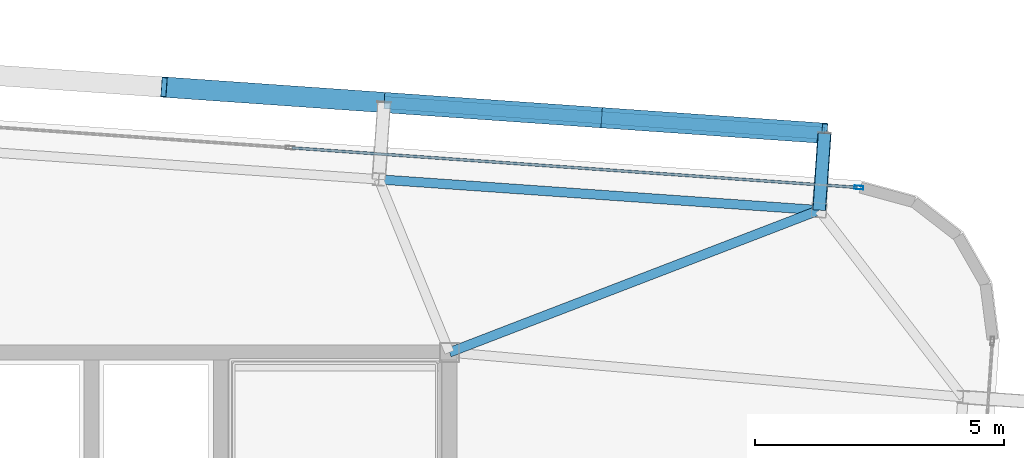
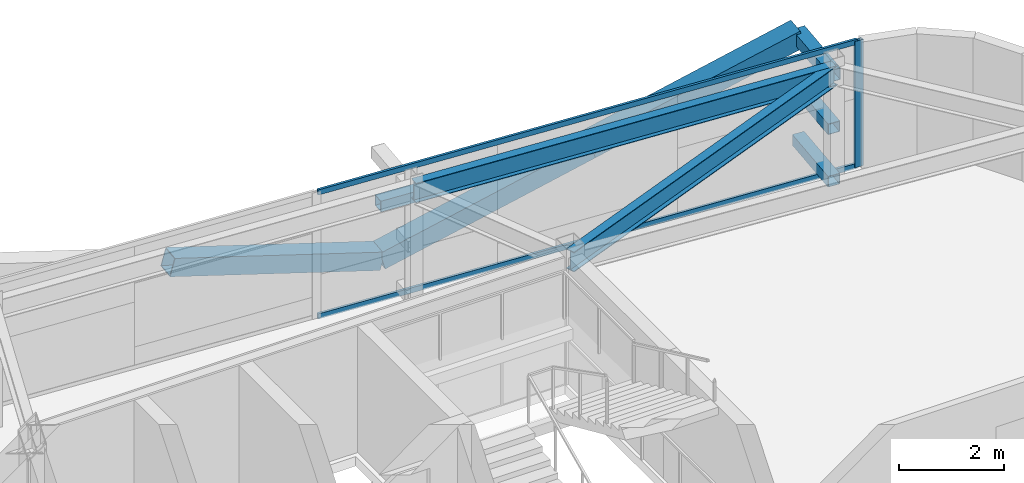
# One storey, part 24 of 39: 10 members, 2 beams, 1 element without a shape of its own.
"""IFC4 building model written with IfcOpenShell, lengths in metres."""

from ifc_helpers import new_model, si_unit, direction, frame, origin, origin_2d, place, context, subcontext, project, spatial, hollow_rectangle, i_section, extrude, source, transform, mapped, material, layer, layer_set, material_profile, profile_set, type_object, element, aggregate, save


model = new_model("IFC4")

# Units and contexts
model_context = context("Model", 3, precision=1e-05, world=origin(), true_north=direction((0.0, 1.0)))
body_context = subcontext(model_context, "Body", "Model", "MODEL_VIEW")
ifc_project = project(units=[si_unit("LENGTHUNIT", "METRE"), si_unit("AREAUNIT", "SQUARE_METRE"), si_unit("VOLUMEUNIT", "CUBIC_METRE"), si_unit("PLANEANGLEUNIT", "RADIAN"), si_unit("MASSUNIT", "GRAM", prefix="KILO")], contexts=[model_context])

# Site, building, storey
site_placement = place(None, origin())
site = spatial("IfcSite", under=ifc_project, at=site_placement, CompositionType="ELEMENT")
building_placement = place(site_placement, origin())
building = spatial("IfcBuilding", under=site, at=building_placement, Name="Taldren Reach Tower", CompositionType="ELEMENT")
storey_placement = place(building_placement, frame((0.0, 0.0, 158.199951171875)))
storey = spatial("IfcBuildingStorey", under=building, at=storey_placement, Name="L48", CompositionType="ELEMENT", Elevation=158.199951171875)

# Members
ifc_material_1 = material(Name="Steel Gr 450 (C450L0)", Category="steel")
ifc_material_profile_1 = material_profile(ifc_material_1, hollow_rectangle(XDim=0.27490234375, YDim=0.27490234375, WallThickness=0.00927734375, at=origin_2d()), Name="275x275x9.3SHS")
ifc_profile_set_1 = profile_set([ifc_material_profile_1], Name="Steel Gr 450 (C450L0)")
member_type_1 = type_object("IfcMemberType", Name="MB-TIE273", PredefinedType="STRUT", material=ifc_profile_set_1)
shared_shape_1 = source(origin(), body_context, "Body", "SweptSolid", [
    extrude(hollow_rectangle(XDim=0.27490234375, YDim=0.27490234375, WallThickness=0.00927734375, at=origin_2d()), origin(), (0.0, 0.0, 1.0), 1.5498046875),
])
member_1_placement = place(storey_placement, frame((58.4365234375, 34.861572265625, 2.650146484375), z_axis=(0.069780535098, 0.997562367434, 0.0), x_axis=(-0.997562367434, 0.069780535098, 0.0)))
element("IfcMember", 1, at=member_1_placement, inside=storey, type_object=member_type_1, Name="Exoskeleton diaphragm tie strut B3-N6 L48", PredefinedType="STRUT", context=body_context, shape_type="MappedRepresentation", body=[
    mapped(shared_shape_1, transform((0.0, 0.0, 0.0), scale=1.0)),
])
ifc_material_2 = material(Name="Steel Gr 350 (C350L0)", Category="steel")
ifc_material_profile_2 = material_profile(ifc_material_2, hollow_rectangle(XDim=0.25, YDim=0.25, WallThickness=0.010009765625, at=origin_2d()), Name="250x250x10.0SHS")
ifc_profile_set_2 = profile_set([ifc_material_profile_2], Name="Steel Gr 350 (C350L0)")
member_type_2 = type_object("IfcMemberType", Name="MB-POST250", PredefinedType="POST", material=ifc_profile_set_2)
shared_shape_2 = source(origin(), body_context, "Body", "SweptSolid", [
    extrude(hollow_rectangle(XDim=0.25, YDim=0.25, WallThickness=0.010009765625, at=origin_2d()), origin(), (0.0, 0.0, 1.0), 1.5498046875),
])
for number, where, z_axis, x_axis, name in (
    (2, (58.4365234375, 34.861572265625, 0.219970703125), (0.069780535098, 0.997562367434, 0.0), (-0.997562367434, 0.069780535098, 0.0), "Exoskeleton base diaphragm tie strut B3-N6 L48"),
    (3, (58.4365234375, 34.861572265625, 1.43505859375), (0.069780535098, 0.997562367434, 0.0), (-0.997562367434, 0.069780535098, 0.0), "Exoskeleton mid-tier diaphragm tie B3-N6 L48"),
):
    element("IfcMember", number, at=place(storey_placement, frame(where, z_axis=z_axis, x_axis=x_axis)), inside=storey, type_object=member_type_2, Name=name, PredefinedType="POST", context=body_context, shape_type="MappedRepresentation", body=[
        mapped(shared_shape_2, transform((0.0, 0.0, 0.0), scale=1.0)),
    ])

# Beams
ifc_material_3 = material(Name="Steel Gr 350 (350PLUS)", Category="steel")
ifc_material_profile_3 = material_profile(ifc_material_3, i_section(OverallWidth=0.18994140625, OverallDepth=0.4541015625, WebThickness=0.008544921875, FlangeThickness=0.0126953125, at=origin_2d()), Name="460UB67.1")
ifc_profile_set_3 = profile_set([ifc_material_profile_3], Name="Steel Gr 350 (350PLUS)")
beam_type_1 = type_object("IfcBeamType", Name="SP-UB460B", PredefinedType="SPANDREL", material=ifc_profile_set_3)
shared_shape_3 = source(origin(), body_context, "Body", "SweptSolid", [
    extrude(i_section(OverallWidth=0.18994140625, OverallDepth=0.4541015625, WebThickness=0.008544921875, FlangeThickness=0.0126953125, at=origin_2d()), origin(), (0.0, 0.0, 1.0), 8.880126953125),
])
beam_1_placement = place(storey_placement, frame((58.4365234375, 34.861572265625, 2.703125), z_axis=(-0.997564479639, 0.069750333063, 0.0), x_axis=(-0.069750333063, -0.997564479639, 0.0)))
element("IfcBeam", 4, at=beam_1_placement, inside=storey, type_object=beam_type_1, Name="Perimeter spandrel B3 N6-N5 L48", PredefinedType="SPANDREL", context=body_context, shape_type="MappedRepresentation", body=[
    mapped(shared_shape_3, transform((0.0, 0.0, 0.0), scale=1.0)),
])
ifc_material_profile_4 = material_profile(ifc_material_3, i_section(OverallWidth=0.19091796875, OverallDepth=0.4599609375, WebThickness=0.010009765625, FlangeThickness=0.01611328125, at=origin_2d()), Name="460UB82.1")
ifc_profile_set_4 = profile_set([ifc_material_profile_4], Name="Steel Gr 350 (350PLUS)")
beam_type_2 = type_object("IfcBeamType", Name="BM-UB460A", PredefinedType="BEAM", material=ifc_profile_set_4)
shared_shape_4 = source(origin(), body_context, "Body", "SweptSolid", [
    extrude(i_section(OverallWidth=0.19091796875, OverallDepth=0.4599609375, WebThickness=0.010009765625, FlangeThickness=0.01611328125, at=origin_2d()), origin(), (0.0, 0.0, 1.0), 7.968017578125),
])
beam_2_placement = place(storey_placement, frame((51.0, 32.0, 2.699951171875), z_axis=(0.933287947144, 0.359128956943, 0.0), x_axis=(-0.359128956943, 0.933287947144, 0.0)))
element("IfcBeam", 5, at=beam_2_placement, inside=storey, type_object=beam_type_2, Name="Primary floor girder B3-N6 L48", PredefinedType="BEAM", context=body_context, shape_type="MappedRepresentation", body=[
    mapped(shared_shape_4, transform((0.0, 0.0, 0.0), scale=1.0)),
])

# Members
shared_shape_5 = source(origin(), body_context, "Body", "SweptSolid", [
    extrude(hollow_rectangle(XDim=0.25, YDim=0.25, WallThickness=0.010009765625, at=origin_2d()), origin(), (0.0, 0.0, 1.0), 8.880126953125),
])
member_2_placement = place(storey_placement, frame((49.686279296875, 37.02734375, 1.43505859375), z_axis=(0.997562566276, -0.06977769246, 0.0), x_axis=(0.06977769246, 0.997562566276, 0.0)))
element("IfcMember", 6, at=member_2_placement, inside=storey, type_object=member_type_2, Name="Exoskeleton mid-height ring chord B3-N5 L48", PredefinedType="POST", context=body_context, shape_type="MappedRepresentation", body=[
    mapped(shared_shape_5, transform((0.0, 0.0, 0.0), scale=1.0)),
])
ifc_material_profile_5 = material_profile(ifc_material_1, hollow_rectangle(XDim=0.409912109375, YDim=0.409912109375, WallThickness=0.01611328125, at=origin_2d()), Name="410x410x16.0SHS")
ifc_profile_set_5 = profile_set([ifc_material_profile_5], Name="Steel Gr 450 (C450L0)")
member_type_3 = type_object("IfcMemberType", Name="MB-EXO406", PredefinedType="BRACE", material=ifc_profile_set_5)
shared_shape_6 = source(origin(), body_context, "Body", "SweptSolid", [
    extrude(hollow_rectangle(XDim=0.409912109375, YDim=0.409912109375, WallThickness=0.01611328125, at=origin_2d()), origin(), (0.0, 0.0, 1.0), 4.603271484375),
])
for number, where, z_axis, x_axis, name in (
    (7, (49.686279296875, 37.02734375, 0.219970703125), (-0.962185784239, 0.067250114343, 0.263962002434), (-0.069722973508, -0.997566392259, 0.0), "Exoskeleton Diagrid Brace B3-N4 L48"),
    (8, (49.686279296875, 37.02734375, 0.219970703125), (0.962182351074, -0.067302910567, 0.263961060594), (0.06977769246, 0.997562566276, 0.0), "Exoskeleton Diagrid Brace B3-N5 L48"),
    (9, (54.115478515625, 36.717529296875, 1.43505859375), (0.962182351074, -0.067302910567, 0.263961060594), (0.06977769246, 0.997562566276, 0.0), "Exoskeleton Diagrid Brace B3-N5 L48"),
):
    element("IfcMember", number, at=place(storey_placement, frame(where, z_axis=z_axis, x_axis=x_axis)), inside=storey, type_object=member_type_3, Name=name, PredefinedType="BRACE", context=body_context, shape_type="MappedRepresentation", body=[
        mapped(shared_shape_6, transform((0.0, 0.0, 0.0), scale=1.0)),
    ])

# Curtain wall, members
ifc_material_4 = material(Name="Aluminium and Low-E Glass Unitised System", Category="aluminium")
ifc_layer = layer(ifc_material_4, 0.159912109375)
ifc_layer_set = layer_set([ifc_layer], Name="Aluminium and Low-E Glass Unitised System")
curtain_wall_type = type_object("IfcCurtainWallType", Name="CW-SYS-4", PredefinedType="NOTDEFINED", material=ifc_layer_set)
curtain_wall_placement = place(storey_placement, origin())
curtain_wall = element("IfcCurtainWall", 10, at=curtain_wall_placement, inside=storey, type_object=curtain_wall_type, Name="Unitised curtain wall CW-L48-N", PredefinedType="NOTDEFINED")
ifc_material_5 = material(Name="Anodised Aluminium 6063-T6", Category="aluminium")
ifc_material_profile_6 = material_profile(ifc_material_5, hollow_rectangle(XDim=0.054931640625, YDim=0.1201171875, WallThickness=0.0029296875, at=origin_2d()), Name="ALU-120x55x3RHS")
ifc_profile_set_6 = profile_set([ifc_material_profile_6], Name="Anodised Aluminium 6063-T6")
member_type_4 = type_object("IfcMemberType", Name="CW-TRN-135", PredefinedType="USERDEFINED", material=ifc_profile_set_6)
shared_shape_7 = source(origin(), body_context, "Body", "SweptSolid", [
    extrude(hollow_rectangle(XDim=0.054931640625, YDim=0.1201171875, WallThickness=0.0029296875, at=origin_2d()), origin(), (0.0, 0.0, 1.0), 11.39501953125),
])
member_3_placement = place(storey_placement, frame((59.2001953125, 35.3193359375, 0.027587890625), z_axis=(-0.997563740682, 0.069760900766, 0.0), x_axis=(-0.069760900766, -0.997563740682, 0.0)))
member_3 = element("IfcMember", 11, at=member_3_placement, type_object=member_type_4, Name="CW-4 transom 1.1", ObjectType="TRANSOM", PredefinedType="USERDEFINED", context=body_context, shape_type="MappedRepresentation", body=[
    mapped(shared_shape_7, transform((0.0, 0.0, 0.0), scale=1.0)),
])
member_4_placement = place(storey_placement, frame((59.2001953125, 35.3193359375, 2.902587890625), z_axis=(-0.997563740682, 0.069760900766, 0.0), x_axis=(-0.069760900766, -0.997563740682, 0.0)))
member_4 = element("IfcMember", 12, at=member_4_placement, type_object=member_type_4, Name="CW-4 transom 1.2", ObjectType="TRANSOM", PredefinedType="USERDEFINED", context=body_context, shape_type="MappedRepresentation", body=[
    mapped(shared_shape_7, transform((0.0, 0.0, 0.0), scale=1.0)),
])
ifc_material_profile_7 = material_profile(ifc_material_5, hollow_rectangle(XDim=0.070068359375, YDim=0.179931640625, WallThickness=0.00390625, at=origin_2d()), Name="ALU-180x70x4RHS")
ifc_profile_set_7 = profile_set([ifc_material_profile_7], Name="Anodised Aluminium 6063-T6")
member_type_5 = type_object("IfcMemberType", Name="CW-MUL-180", PredefinedType="MULLION", material=ifc_profile_set_7)
shared_shape_8 = source(origin(), body_context, "Body", "SweptSolid", [
    extrude(hollow_rectangle(XDim=0.070068359375, YDim=0.179931640625, WallThickness=0.00390625, at=origin_2d()), origin(), (0.0, 0.0, 1.0), 2.929931640625),
])
member_5_placement = place(storey_placement, frame((59.235107421875, 35.31689453125, 0.0), z_axis=(0.0, 0.0, 1.0), x_axis=(-0.06975651593, -0.99756404731, 0.0)))
member_5 = element("IfcMember", 13, at=member_5_placement, type_object=member_type_5, Name="CW-4 mullion 1", PredefinedType="MULLION", context=body_context, shape_type="MappedRepresentation", body=[
    mapped(shared_shape_8, transform((0.0, 0.0, 0.0), scale=1.0)),
])
aggregate(curtain_wall, [member_5, member_3, member_4])

save(model, "model.ifc")
